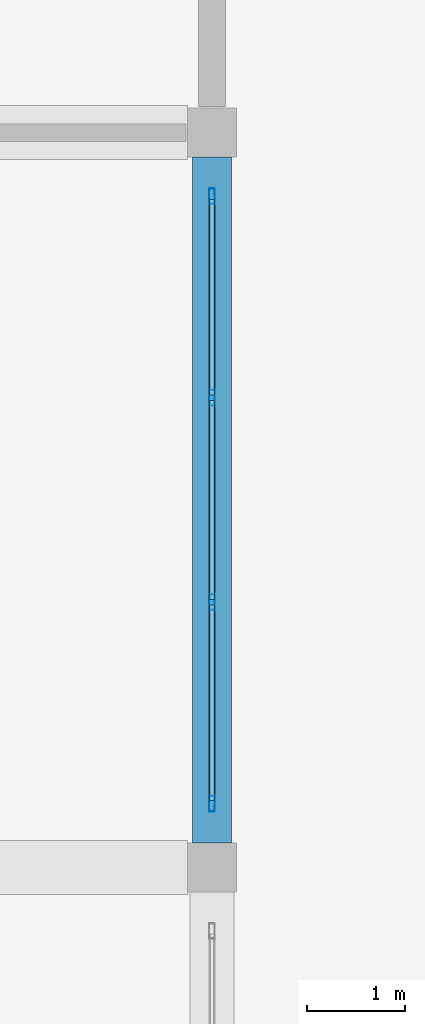
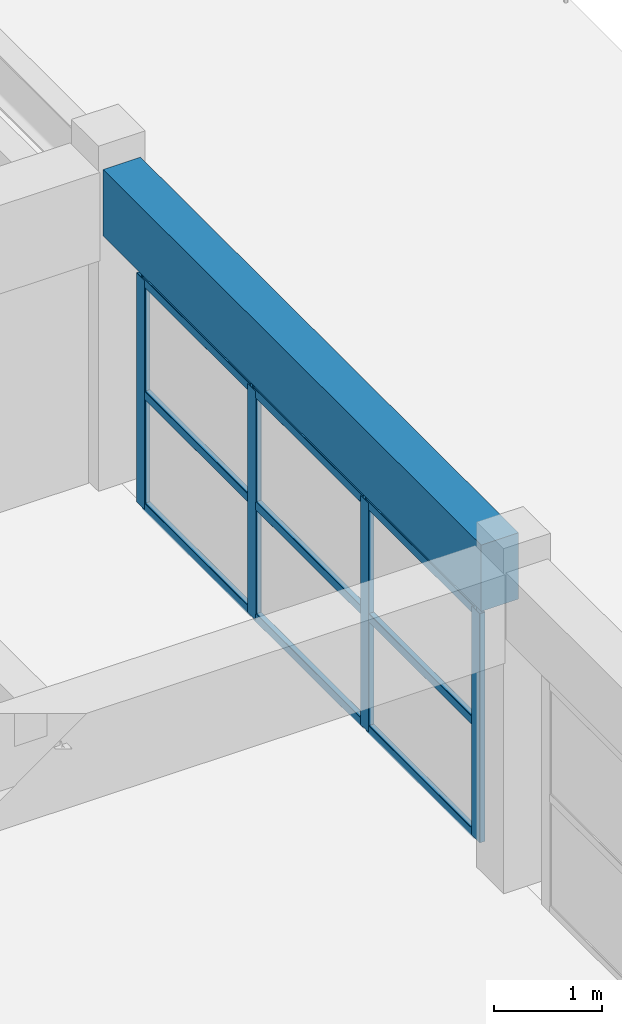
# One storey, part 10 of 82: 13 members, 1 beam, 1 element without a shape of its own.
"""IFC4 building model written with IfcOpenShell, lengths in metres."""

from ifc_helpers import new_model, si_unit, direction, frame, origin, origin_2d, place, context, subcontext, project, spatial, rectangle, hollow_rectangle, extrude, material, material_profile, profile_set, type_object, element, aggregate, save


model = new_model("IFC4")

# Units and contexts
model_context = context("Model", 3, precision=1e-05, world=origin(), true_north=direction((0.0, 1.0)))
body_context = subcontext(model_context, "Body", "Model", "MODEL_VIEW")
ifc_project = project(units=[si_unit("LENGTHUNIT", "METRE"), si_unit("AREAUNIT", "SQUARE_METRE"), si_unit("VOLUMEUNIT", "CUBIC_METRE"), si_unit("PLANEANGLEUNIT", "RADIAN"), si_unit("MASSUNIT", "GRAM", prefix="KILO")], contexts=[model_context])

# Site, building, storey
site_placement = place(None, origin())
site = spatial("IfcSite", under=ifc_project, at=site_placement, CompositionType="ELEMENT")
building_placement = place(site_placement, origin())
building = spatial("IfcBuilding", under=site, at=building_placement, Name="Qasida Concert Hall", CompositionType="ELEMENT")
storey_placement = place(building_placement, frame((0.0, 0.0, 17.10009765625)))
storey = spatial("IfcBuildingStorey", under=building, at=storey_placement, Name="L04", CompositionType="ELEMENT", Elevation=17.10009765625)

# Beam
ifc_material_1 = material(Name="Concrete C40/50", Category="concrete")
ifc_material_profile_1 = material_profile(ifc_material_1, rectangle(XDim=0.39990234375, YDim=0.75, at=origin_2d()), Name="RC 400x750")
ifc_profile_set_1 = profile_set([ifc_material_profile_1], Name="Concrete C40/50")
beam_type = type_object("IfcBeamType", Name="BM-SP1", PredefinedType="SPANDREL", material=ifc_profile_set_1)
beam_placement = place(storey_placement, frame((30.0, 30.25, 3.244873046875), z_axis=(0.0, 1.0, 0.0), x_axis=(-1.0, 0.0, 0.0)))
element("IfcBeam", 1, at=beam_placement, inside=storey, type_object=beam_type, Name="L04 girder 1912", PredefinedType="SPANDREL", context=body_context, shape_type="SweptSolid", body=[
    extrude(rectangle(XDim=0.39990234375, YDim=0.75, at=origin_2d()), origin(), (0.0, 0.0, 1.0), 7.0),
])

# Curtain wall, members
ifc_material_2 = material(Name="Architectural bronze-anodized aluminium and low-E glass", Category="aluminium")
curtain_wall_type = type_object("IfcCurtainWallType", Name="CW-12", PredefinedType="NOTDEFINED", material=ifc_material_2)
curtain_wall_placement = place(storey_placement, origin())
curtain_wall = element("IfcCurtainWall", 2, at=curtain_wall_placement, inside=storey, type_object=curtain_wall_type, Name="L04 curtain wall CW-12 0137", PredefinedType="NOTDEFINED")
ifc_material_3 = material(Name="Architectural bronze-anodized aluminium EN AW-6063", Category="aluminium")
ifc_material_profile_2 = material_profile(ifc_material_3, hollow_rectangle(XDim=0.06005859375, YDim=0.159912109375, WallThickness=0.00390625, InnerFilletRadius=0.00390625, OuterFilletRadius=0.008056640625, at=origin_2d()), Name="CWM 160x60x4")
ifc_profile_set_2 = profile_set([ifc_material_profile_2], Name="Architectural bronze-anodized aluminium EN AW-6063")
member_type_1 = type_object("IfcMemberType", Name="MB-CWM-3", PredefinedType="MULLION", material=ifc_profile_set_2)
member_1_placement = place(storey_placement, frame((30.0, 30.64990234375, 0.0), z_axis=(0.0, 0.0, 1.0), x_axis=(-1.0, 0.0, 0.0)))
member_1 = element("IfcMember", 3, at=member_1_placement, type_object=member_type_1, Name="CW-12 mullion 1", PredefinedType="MULLION", context=body_context, shape_type="SweptSolid", body=[
    extrude(hollow_rectangle(XDim=0.06005859375, YDim=0.159912109375, WallThickness=0.00390625, InnerFilletRadius=0.00390625, OuterFilletRadius=0.008056640625, at=origin_2d()), origin(), (0.0, 0.0, 1.0), 2.58984375),
])
member_2_placement = place(storey_placement, frame((30.0, 32.706787109375, 0.0), z_axis=(0.0, 0.0, 1.0), x_axis=(-1.0, 0.0, 0.0)))
member_2 = element("IfcMember", 4, at=member_2_placement, type_object=member_type_1, Name="CW-12 mullion 2", PredefinedType="MULLION", context=body_context, shape_type="SweptSolid", body=[
    extrude(hollow_rectangle(XDim=0.06005859375, YDim=0.159912109375, WallThickness=0.00390625, InnerFilletRadius=0.00390625, OuterFilletRadius=0.008056640625, at=origin_2d()), origin(), (0.0, 0.0, 1.0), 2.58984375),
])
member_3_placement = place(storey_placement, frame((30.0, 34.793212890625, 0.0), z_axis=(0.0, 0.0, 1.0), x_axis=(-1.0, 0.0, 0.0)))
member_3 = element("IfcMember", 5, at=member_3_placement, type_object=member_type_1, Name="CW-12 mullion 3", PredefinedType="MULLION", context=body_context, shape_type="SweptSolid", body=[
    extrude(hollow_rectangle(XDim=0.06005859375, YDim=0.159912109375, WallThickness=0.00390625, InnerFilletRadius=0.00390625, OuterFilletRadius=0.008056640625, at=origin_2d()), origin(), (0.0, 0.0, 1.0), 2.58984375),
])
member_4_placement = place(storey_placement, frame((30.0, 36.85009765625, 0.0), z_axis=(0.0, 0.0, 1.0), x_axis=(-1.0, 0.0, 0.0)))
member_4 = element("IfcMember", 6, at=member_4_placement, type_object=member_type_1, Name="CW-12 mullion 4", PredefinedType="MULLION", context=body_context, shape_type="SweptSolid", body=[
    extrude(hollow_rectangle(XDim=0.06005859375, YDim=0.159912109375, WallThickness=0.00390625, InnerFilletRadius=0.00390625, OuterFilletRadius=0.008056640625, at=origin_2d()), origin(), (0.0, 0.0, 1.0), 2.58984375),
])
ifc_material_profile_3 = material_profile(ifc_material_3, hollow_rectangle(XDim=0.06005859375, YDim=0.10009765625, WallThickness=0.00341796875, InnerFilletRadius=0.00341796875, OuterFilletRadius=0.007080078125, at=origin_2d()), Name="CWT 100x60x3.5")
ifc_profile_set_3 = profile_set([ifc_material_profile_3], Name="Architectural bronze-anodized aluminium EN AW-6063")
member_type_2 = type_object("IfcMemberType", Name="MB-CWT-3", PredefinedType="USERDEFINED", material=ifc_profile_set_3)
member_5_placement = place(storey_placement, frame((30.0, 30.679931640625, 0.02978515625), z_axis=(0.0, 1.0, 0.0), x_axis=(-1.0, 0.0, 0.0)))
member_5 = element("IfcMember", 7, at=member_5_placement, type_object=member_type_2, Name="CW-12 transom 1.1", ObjectType="TRANSOM", PredefinedType="USERDEFINED", context=body_context, shape_type="SweptSolid", body=[
    extrude(hollow_rectangle(XDim=0.06005859375, YDim=0.10009765625, WallThickness=0.00341796875, InnerFilletRadius=0.00341796875, OuterFilletRadius=0.007080078125, at=origin_2d()), origin(), (0.0, 0.0, 1.0), 1.996826171875),
])
member_6_placement = place(storey_placement, frame((30.0, 30.679931640625, 1.294921875), z_axis=(0.0, 1.0, 0.0), x_axis=(-1.0, 0.0, 0.0)))
member_6 = element("IfcMember", 8, at=member_6_placement, type_object=member_type_2, Name="CW-12 transom 1.2", ObjectType="TRANSOM", PredefinedType="USERDEFINED", context=body_context, shape_type="SweptSolid", body=[
    extrude(hollow_rectangle(XDim=0.06005859375, YDim=0.10009765625, WallThickness=0.00341796875, InnerFilletRadius=0.00341796875, OuterFilletRadius=0.007080078125, at=origin_2d()), origin(), (0.0, 0.0, 1.0), 1.996826171875),
])
member_7_placement = place(storey_placement, frame((30.0, 30.679931640625, 2.559814453125), z_axis=(0.0, 1.0, 0.0), x_axis=(-1.0, 0.0, 0.0)))
member_7 = element("IfcMember", 9, at=member_7_placement, type_object=member_type_2, Name="CW-12 transom 1.3", ObjectType="TRANSOM", PredefinedType="USERDEFINED", context=body_context, shape_type="SweptSolid", body=[
    extrude(hollow_rectangle(XDim=0.06005859375, YDim=0.10009765625, WallThickness=0.00341796875, InnerFilletRadius=0.00341796875, OuterFilletRadius=0.007080078125, at=origin_2d()), origin(), (0.0, 0.0, 1.0), 1.996826171875),
])
member_8_placement = place(storey_placement, frame((30.0, 32.736572265625, 0.02978515625), z_axis=(0.0, 1.0, 0.0), x_axis=(-1.0, 0.0, 0.0)))
member_8 = element("IfcMember", 10, at=member_8_placement, type_object=member_type_2, Name="CW-12 transom 2.1", ObjectType="TRANSOM", PredefinedType="USERDEFINED", context=body_context, shape_type="SweptSolid", body=[
    extrude(hollow_rectangle(XDim=0.06005859375, YDim=0.10009765625, WallThickness=0.00341796875, InnerFilletRadius=0.00341796875, OuterFilletRadius=0.007080078125, at=origin_2d()), origin(), (0.0, 0.0, 1.0), 2.02685546875),
])
member_9_placement = place(storey_placement, frame((30.0, 32.736572265625, 1.294921875), z_axis=(0.0, 1.0, 0.0), x_axis=(-1.0, 0.0, 0.0)))
member_9 = element("IfcMember", 11, at=member_9_placement, type_object=member_type_2, Name="CW-12 transom 2.2", ObjectType="TRANSOM", PredefinedType="USERDEFINED", context=body_context, shape_type="SweptSolid", body=[
    extrude(hollow_rectangle(XDim=0.06005859375, YDim=0.10009765625, WallThickness=0.00341796875, InnerFilletRadius=0.00341796875, OuterFilletRadius=0.007080078125, at=origin_2d()), origin(), (0.0, 0.0, 1.0), 2.02685546875),
])
member_10_placement = place(storey_placement, frame((30.0, 32.736572265625, 2.559814453125), z_axis=(0.0, 1.0, 0.0), x_axis=(-1.0, 0.0, 0.0)))
member_10 = element("IfcMember", 12, at=member_10_placement, type_object=member_type_2, Name="CW-12 transom 2.3", ObjectType="TRANSOM", PredefinedType="USERDEFINED", context=body_context, shape_type="SweptSolid", body=[
    extrude(hollow_rectangle(XDim=0.06005859375, YDim=0.10009765625, WallThickness=0.00341796875, InnerFilletRadius=0.00341796875, OuterFilletRadius=0.007080078125, at=origin_2d()), origin(), (0.0, 0.0, 1.0), 2.02685546875),
])
member_11_placement = place(storey_placement, frame((30.0, 34.8232421875, 0.02978515625), z_axis=(0.0, 1.0, 0.0), x_axis=(-1.0, 0.0, 0.0)))
member_11 = element("IfcMember", 13, at=member_11_placement, type_object=member_type_2, Name="CW-12 transom 3.1", ObjectType="TRANSOM", PredefinedType="USERDEFINED", context=body_context, shape_type="SweptSolid", body=[
    extrude(hollow_rectangle(XDim=0.06005859375, YDim=0.10009765625, WallThickness=0.00341796875, InnerFilletRadius=0.00341796875, OuterFilletRadius=0.007080078125, at=origin_2d()), origin(), (0.0, 0.0, 1.0), 1.996826171875),
])
member_12_placement = place(storey_placement, frame((30.0, 34.8232421875, 1.294921875), z_axis=(0.0, 1.0, 0.0), x_axis=(-1.0, 0.0, 0.0)))
member_12 = element("IfcMember", 14, at=member_12_placement, type_object=member_type_2, Name="CW-12 transom 3.2", ObjectType="TRANSOM", PredefinedType="USERDEFINED", context=body_context, shape_type="SweptSolid", body=[
    extrude(hollow_rectangle(XDim=0.06005859375, YDim=0.10009765625, WallThickness=0.00341796875, InnerFilletRadius=0.00341796875, OuterFilletRadius=0.007080078125, at=origin_2d()), origin(), (0.0, 0.0, 1.0), 1.996826171875),
])
member_13_placement = place(storey_placement, frame((30.0, 34.8232421875, 2.559814453125), z_axis=(0.0, 1.0, 0.0), x_axis=(-1.0, 0.0, 0.0)))
member_13 = element("IfcMember", 15, at=member_13_placement, type_object=member_type_2, Name="CW-12 transom 3.3", ObjectType="TRANSOM", PredefinedType="USERDEFINED", context=body_context, shape_type="SweptSolid", body=[
    extrude(hollow_rectangle(XDim=0.06005859375, YDim=0.10009765625, WallThickness=0.00341796875, InnerFilletRadius=0.00341796875, OuterFilletRadius=0.007080078125, at=origin_2d()), origin(), (0.0, 0.0, 1.0), 1.996826171875),
])
aggregate(curtain_wall, [member_1, member_2, member_3, member_4, member_5, member_6, member_7, member_8, member_9, member_10, member_11, member_12, member_13])

save(model, "model.ifc")
